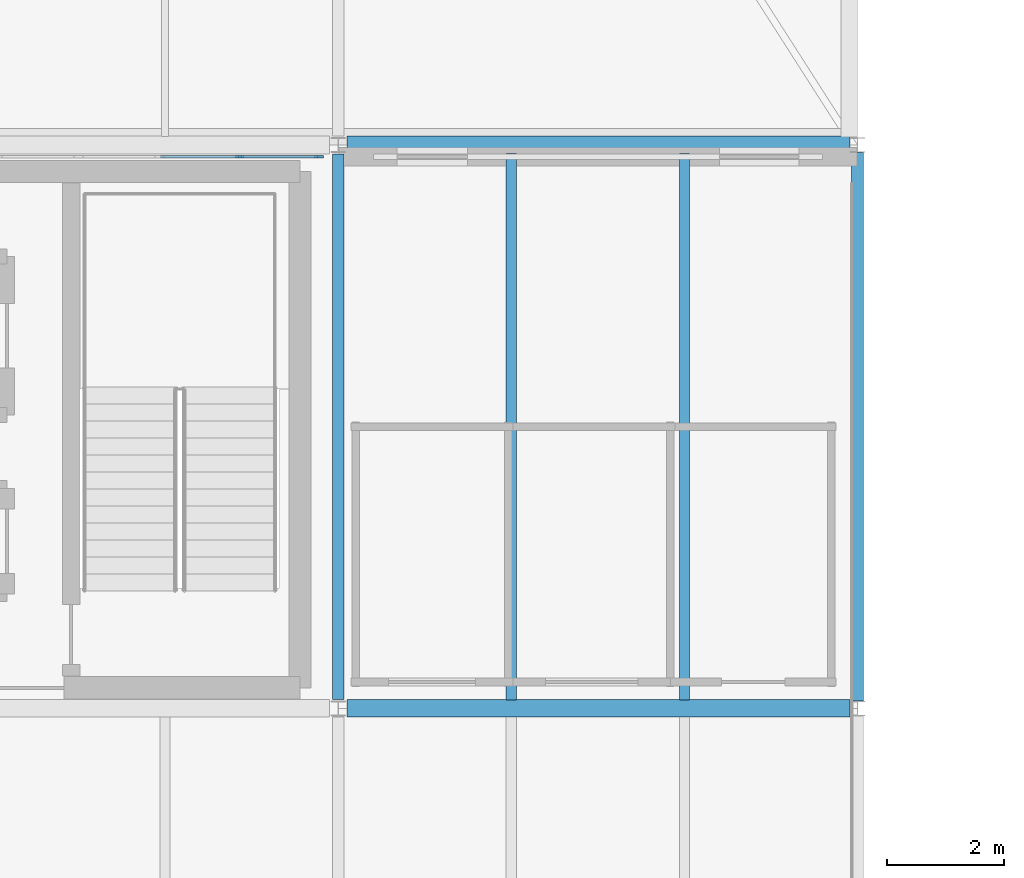
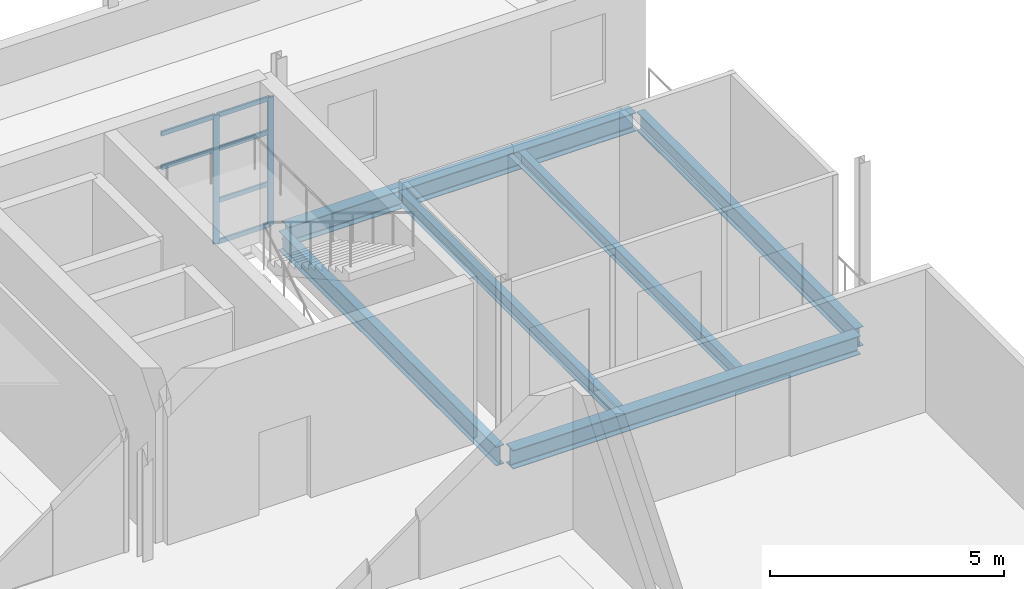
# One storey, part 9 of 28: 8 members, 6 beams, 1 element without a shape of its own.
"""IFC4 building model written with IfcOpenShell, lengths in metres."""

from ifc_helpers import new_model, si_unit, direction, frame, origin, origin_2d, place, context, subcontext, project, spatial, rectangle, i_section, extrude, material, layer, layer_set, material_profile, profile_set, type_object, element, aggregate, save


model = new_model("IFC4")

# Units and contexts
model_context = context("Model", 3, precision=1e-05, world=origin(), true_north=direction((0.0, 1.0)))
body_context = subcontext(model_context, "Body", "Model", "MODEL_VIEW")
ifc_project = project(units=[si_unit("LENGTHUNIT", "METRE"), si_unit("AREAUNIT", "SQUARE_METRE"), si_unit("VOLUMEUNIT", "CUBIC_METRE"), si_unit("PLANEANGLEUNIT", "RADIAN"), si_unit("MASSUNIT", "GRAM", prefix="KILO")], contexts=[model_context])

# Site, building, storey
site_placement = place(None, origin())
site = spatial("IfcSite", under=ifc_project, at=site_placement, CompositionType="ELEMENT")
building_placement = place(site_placement, origin())
building = spatial("IfcBuilding", under=site, at=building_placement, Name="Yeouljin Market Hall", CompositionType="ELEMENT")
storey_placement = place(building_placement, frame((0.0, 0.0, 15.0)))
storey = spatial("IfcBuildingStorey", under=building, at=storey_placement, Name="L03", CompositionType="ELEMENT", Elevation=15.0)

# Beams
ifc_material_1 = material(Name="Steel SM355", Category="steel")
ifc_material_profile_1 = material_profile(ifc_material_1, i_section(OverallWidth=0.199951171875, OverallDepth=0.5, WebThickness=0.010009765625, FlangeThickness=0.01611328125, FilletRadius=0.02001953125, at=origin_2d()), Name="H-500x200x10x16")
ifc_profile_set_1 = profile_set([ifc_material_profile_1], Name="Steel SM355")
beam_type_1 = type_object("IfcBeamType", Name="Beam_H-500x200x10x16", PredefinedType="BEAM", material=ifc_profile_set_1)
beam_1_placement = place(storey_placement, frame((17.699951171875, 19.35009765625, -0.514892578125), z_axis=(0.0, 1.0, 0.0), x_axis=(-1.0, 0.0, 0.0)))
element("IfcBeam", 1, at=beam_1_placement, inside=storey, type_object=beam_type_1, Name="Primary beam BM-L03-Y056", PredefinedType="BEAM", context=body_context, shape_type="SweptSolid", body=[
    extrude(i_section(OverallWidth=0.199951171875, OverallDepth=0.5, WebThickness=0.010009765625, FlangeThickness=0.01611328125, FilletRadius=0.02001953125, at=origin_2d()), origin(), (0.0, 0.0, 1.0), 9.2998046875),
])
beam_2_placement = place(storey_placement, frame((26.550048828125, 19.324951171875, -0.514892578125), z_axis=(0.0, 1.0, 0.0), x_axis=(-1.0, 0.0, 0.0)))
element("IfcBeam", 2, at=beam_2_placement, inside=storey, type_object=beam_type_1, Name="Primary beam BM-L03-Y061", PredefinedType="BEAM", context=body_context, shape_type="SweptSolid", body=[
    extrude(i_section(OverallWidth=0.199951171875, OverallDepth=0.5, WebThickness=0.010009765625, FlangeThickness=0.01611328125, FilletRadius=0.02001953125, at=origin_2d()), origin(), (0.0, 0.0, 1.0), 9.35009765625),
])

# Curtain wall, members
ifc_material_2 = material(Name="Thermally Broken Aluminium", Category="aluminium")
ifc_layer = layer(ifc_material_2, 0.14990234375)
ifc_layer_set = layer_set([ifc_layer], Name="Thermally Broken Aluminium")
curtain_wall_type = type_object("IfcCurtainWallType", Name="CW_AcademyRibbon_System", PredefinedType="USERDEFINED", material=ifc_layer_set)
curtain_wall_placement = place(storey_placement, origin())
curtain_wall = element("IfcCurtainWall", 3, at=curtain_wall_placement, inside=storey, type_object=curtain_wall_type, Name="Curtain wall CW-L03-W08", ObjectType="CURTAIN WALL", PredefinedType="USERDEFINED")
ifc_material_3 = material(Name="Thermally Broken Aluminium", Category="aluminium")
ifc_material_profile_2 = material_profile(ifc_material_3, rectangle(XDim=0.048095703125, YDim=0.14990234375, at=origin_2d()), Name="CW-MULL-48x150")
ifc_profile_set_2 = profile_set([ifc_material_profile_2], Name="Thermally Broken Aluminium")
member_type_1 = type_object("IfcMemberType", Name="CWMullion_48x150", PredefinedType="MULLION", material=ifc_profile_set_2)
member_1_placement = place(storey_placement, frame((16.02490234375, 28.60009765625, 0.0), z_axis=(0.0, 0.0, 1.0), x_axis=(0.0, 1.0, 0.0)))
member_1 = element("IfcMember", 4, at=member_1_placement, type_object=member_type_1, Name="CW-05 mullion 6", PredefinedType="MULLION", context=body_context, shape_type="SweptSolid", body=[
    extrude(rectangle(XDim=0.048095703125, YDim=0.14990234375, at=origin_2d()), origin(), (0.0, 0.0, 1.0), 3.35009765625),
])
member_2_placement = place(storey_placement, frame((17.3759765625, 28.60009765625, 0.0), z_axis=(0.0, 0.0, 1.0), x_axis=(0.0, 1.0, 0.0)))
member_2 = element("IfcMember", 5, at=member_2_placement, type_object=member_type_1, Name="CW-05 mullion 7", PredefinedType="MULLION", context=body_context, shape_type="SweptSolid", body=[
    extrude(rectangle(XDim=0.048095703125, YDim=0.14990234375, at=origin_2d()), origin(), (0.0, 0.0, 1.0), 3.35009765625),
])
ifc_material_4 = material(Name="Thermally Broken Aluminium", Category="aluminium")
ifc_material_profile_3 = material_profile(ifc_material_4, rectangle(XDim=0.048095703125, YDim=0.1201171875, at=origin_2d()), Name="CW-TRAN-48x120")
ifc_profile_set_3 = profile_set([ifc_material_profile_3], Name="Thermally Broken Aluminium")
member_type_2 = type_object("IfcMemberType", Name="CWTransom_48x120", PredefinedType="USERDEFINED", material=ifc_profile_set_3)
member_3_placement = place(storey_placement, frame((14.674072265625, 28.60009765625, 2.449951171875), z_axis=(1.0, 0.0, 0.0), x_axis=(0.0, 1.0, 0.0)))
member_3 = element("IfcMember", 6, at=member_3_placement, type_object=member_type_2, Name="CW-05 transom 5.3", ObjectType="TRANSOM", PredefinedType="USERDEFINED", context=body_context, shape_type="SweptSolid", body=[
    extrude(rectangle(XDim=0.048095703125, YDim=0.1201171875, at=origin_2d()), origin(), (0.0, 0.0, 1.0), 1.326904296875),
])
member_4_placement = place(storey_placement, frame((14.674072265625, 28.60009765625, 3.325927734375), z_axis=(1.0, 0.0, 0.0), x_axis=(0.0, 1.0, 0.0)))
member_4 = element("IfcMember", 7, at=member_4_placement, type_object=member_type_2, Name="CW-05 transom 5.4", ObjectType="TRANSOM", PredefinedType="USERDEFINED", context=body_context, shape_type="SweptSolid", body=[
    extrude(rectangle(XDim=0.048095703125, YDim=0.1201171875, at=origin_2d()), origin(), (0.0, 0.0, 1.0), 1.326904296875),
])
member_5_placement = place(storey_placement, frame((16.049072265625, 28.60009765625, 0.02392578125), z_axis=(1.0, 0.0, 0.0), x_axis=(0.0, 1.0, 0.0)))
member_5 = element("IfcMember", 8, at=member_5_placement, type_object=member_type_2, Name="CW-05 transom 6.1", ObjectType="TRANSOM", PredefinedType="USERDEFINED", context=body_context, shape_type="SweptSolid", body=[
    extrude(rectangle(XDim=0.048095703125, YDim=0.1201171875, at=origin_2d()), origin(), (0.0, 0.0, 1.0), 1.302978515625),
])
member_6_placement = place(storey_placement, frame((16.049072265625, 28.60009765625, 1.10009765625), z_axis=(1.0, 0.0, 0.0), x_axis=(0.0, 1.0, 0.0)))
member_6 = element("IfcMember", 9, at=member_6_placement, type_object=member_type_2, Name="CW-05 transom 6.2", ObjectType="TRANSOM", PredefinedType="USERDEFINED", context=body_context, shape_type="SweptSolid", body=[
    extrude(rectangle(XDim=0.048095703125, YDim=0.1201171875, at=origin_2d()), origin(), (0.0, 0.0, 1.0), 1.302978515625),
])
member_7_placement = place(storey_placement, frame((16.049072265625, 28.60009765625, 2.449951171875), z_axis=(1.0, 0.0, 0.0), x_axis=(0.0, 1.0, 0.0)))
member_7 = element("IfcMember", 10, at=member_7_placement, type_object=member_type_2, Name="CW-05 transom 6.3", ObjectType="TRANSOM", PredefinedType="USERDEFINED", context=body_context, shape_type="SweptSolid", body=[
    extrude(rectangle(XDim=0.048095703125, YDim=0.1201171875, at=origin_2d()), origin(), (0.0, 0.0, 1.0), 1.302978515625),
])
member_8_placement = place(storey_placement, frame((16.049072265625, 28.60009765625, 3.325927734375), z_axis=(1.0, 0.0, 0.0), x_axis=(0.0, 1.0, 0.0)))
member_8 = element("IfcMember", 11, at=member_8_placement, type_object=member_type_2, Name="CW-05 transom 6.4", ObjectType="TRANSOM", PredefinedType="USERDEFINED", context=body_context, shape_type="SweptSolid", body=[
    extrude(rectangle(XDim=0.048095703125, YDim=0.1201171875, at=origin_2d()), origin(), (0.0, 0.0, 1.0), 1.302978515625),
])
aggregate(curtain_wall, [member_1, member_2, member_3, member_4, member_5, member_6, member_7, member_8])

# Beams
ifc_material_5 = material(Name="Steel SM355", Category="steel")
ifc_material_profile_4 = material_profile(ifc_material_5, i_section(OverallWidth=0.300048828125, OverallDepth=0.488037109375, WebThickness=0.010986328125, FlangeThickness=0.01806640625, FilletRadius=0.02197265625, at=origin_2d()), Name="H-488x300x11x18")
ifc_profile_set_4 = profile_set([ifc_material_profile_4], Name="Steel SM355")
beam_type_2 = type_object("IfcBeamType", Name="Girder_H-488x300x11x18", PredefinedType="USERDEFINED", material=ifc_profile_set_4)
for number, where, z_axis, x_axis, name in (
    (12, (17.85009765625, 19.199951171875, -0.509033203125), (1.0, 0.0, 0.0), (0.0, 1.0, 0.0), "Primary girder GRD-L03-X015"),
    (13, (17.85009765625, 28.800048828125, -0.509033203125), (1.0, 0.0, 0.0), (0.0, 1.0, 0.0), "Primary girder GRD-L03-X021"),
):
    element("IfcBeam", number, at=place(storey_placement, frame(where, z_axis=z_axis, x_axis=x_axis)), inside=storey, type_object=beam_type_2, Name=name, ObjectType="GIRDER", PredefinedType="USERDEFINED", context=body_context, shape_type="SweptSolid", body=[
        extrude(i_section(OverallWidth=0.300048828125, OverallDepth=0.488037109375, WebThickness=0.010986328125, FlangeThickness=0.01806640625, FilletRadius=0.02197265625, at=origin_2d()), origin(), (0.0, 0.0, 1.0), 8.574951171875),
    ])
ifc_material_6 = material(Name="Steel SM355", Category="steel")
ifc_material_profile_5 = material_profile(ifc_material_6, i_section(OverallWidth=0.175048828125, OverallDepth=0.35009765625, WebThickness=0.007080078125, FlangeThickness=0.010986328125, FilletRadius=0.013916015625, at=origin_2d()), Name="H-350x175x7x11")
ifc_profile_set_5 = profile_set([ifc_material_profile_5], Name="Steel SM355")
beam_type_3 = type_object("IfcBeamType", Name="Joist_H-350x175x7x11", PredefinedType="JOIST", material=ifc_profile_set_5)
for number, where, z_axis, x_axis, name in (
    (14, (20.64990234375, 19.346923828125, -0.43994140625), (0.0, 1.0, 0.0), (-1.0, 0.0, 0.0), "Secondary floor joist L03-018"),
    (15, (23.60009765625, 19.346923828125, -0.43994140625), (0.0, 1.0, 0.0), (-1.0, 0.0, 0.0), "Secondary floor joist L03-019"),
):
    element("IfcBeam", number, at=place(storey_placement, frame(where, z_axis=z_axis, x_axis=x_axis)), inside=storey, type_object=beam_type_3, Name=name, PredefinedType="JOIST", context=body_context, shape_type="SweptSolid", body=[
        extrude(i_section(OverallWidth=0.175048828125, OverallDepth=0.35009765625, WebThickness=0.007080078125, FlangeThickness=0.010986328125, FilletRadius=0.013916015625, at=origin_2d()), origin(), (0.0, 0.0, 1.0), 9.30615234375),
    ])

save(model, "model.ifc")
